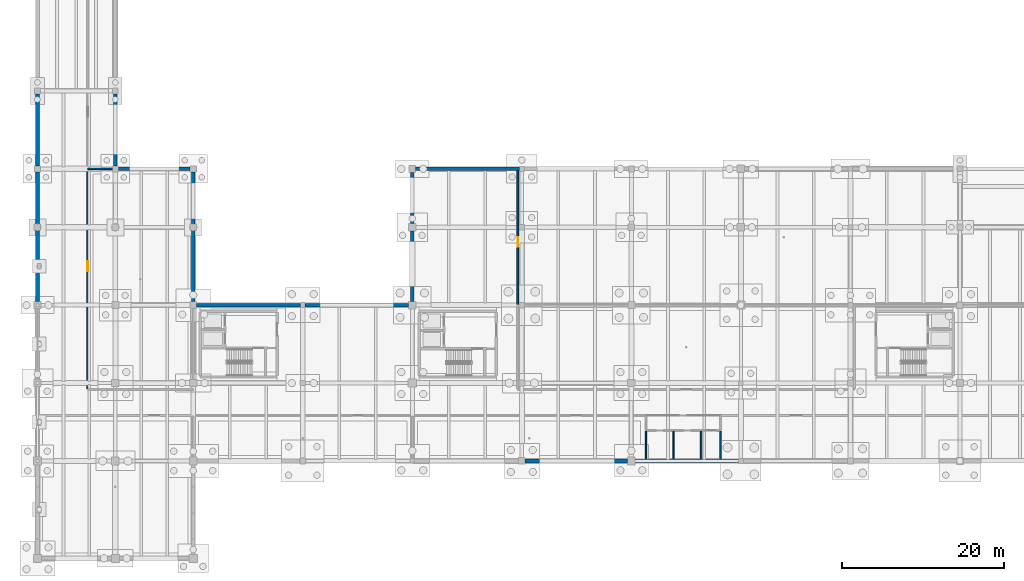
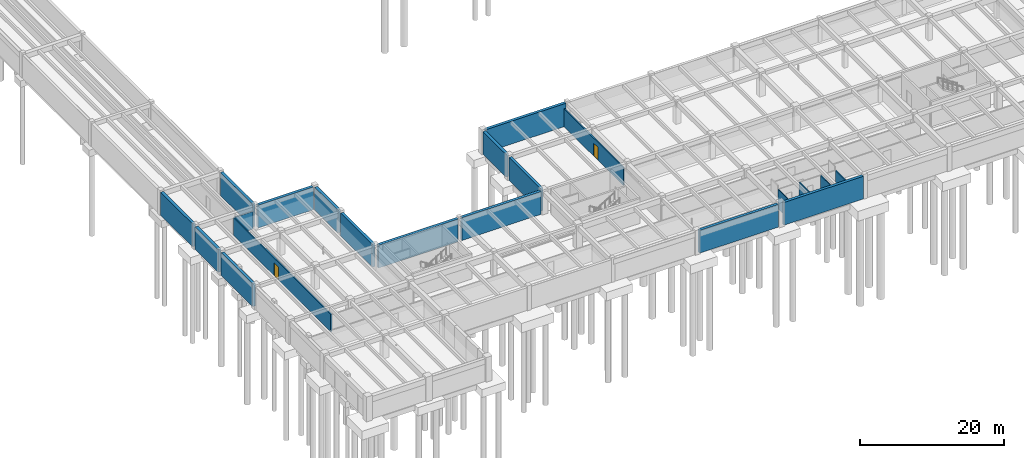
# One storey, part 16 of 41: 21 walls, 2 doors, 2 openings.
"""IFC4 building model written with IfcOpenShell, lengths in metres."""

from ifc_helpers import new_model, si_unit, direction, frame, frame_2d, origin, place, context, subcontext, project, spatial, rectangle, extrude, material, layer, layer_set, type_object, element, fill, save


model = new_model("IFC4")

# Units and contexts
model_context = context("Model", 3, precision=1e-05, world=origin(), true_north=direction((0.0, 1.0)))
body_context = subcontext(model_context, "Body", "Model", "MODEL_VIEW")
ifc_project = project(units=[si_unit("LENGTHUNIT", "METRE"), si_unit("AREAUNIT", "SQUARE_METRE"), si_unit("VOLUMEUNIT", "CUBIC_METRE"), si_unit("PLANEANGLEUNIT", "RADIAN"), si_unit("MASSUNIT", "GRAM", prefix="KILO")], contexts=[model_context])

# Site, building, storey
site_placement = place(None, origin())
site = spatial("IfcSite", under=ifc_project, at=site_placement, CompositionType="ELEMENT")
building_placement = place(site_placement, origin())
building = spatial("IfcBuilding", under=site, at=building_placement, Name="Fikremerkos Civic Library", CompositionType="ELEMENT")
storey_placement = place(building_placement, frame((0.0, 0.0, -8.39990234375)))
storey = spatial("IfcBuildingStorey", under=building, at=storey_placement, Name="B02", CompositionType="ELEMENT", Elevation=-8.39990234375)

# Walls
ifc_material_1 = material(Name="Concrete C40/50", Category="concrete")
ifc_layer_1 = layer(ifc_material_1, 0.449951171875, Name="Concrete C40/50")
ifc_layer_set_1 = layer_set([ifc_layer_1], Name="Concrete C40/50")
wall_type_1 = type_object("IfcWallType", Name="Basement retaining wall BRW-01 450", PredefinedType="USERDEFINED", material=ifc_layer_set_1)
wall_1_placement = place(storey_placement, frame((86.402099609375, 12.0, 0.0), z_axis=(0.0, 0.0, 1.0), x_axis=(-1.0, 0.0, 0.0)))
element("IfcWall", 1, at=wall_1_placement, inside=storey, type_object=wall_type_1, Name="Basement retaining wall BRW-01 B02 #4", ObjectType="RETAINING WALL", PredefinedType="USERDEFINED", context=body_context, shape_type="SweptSolid", body=[
    extrude(rectangle(XDim=12.72900390625, YDim=0.449951171875, at=frame_2d((6.364501953125, 0.0))), origin(), (0.0, 0.0, 1.0), 3.85986328125),
])
wall_2_placement = place(storey_placement, frame((72.72705078125, 12.0, 0.0), z_axis=(0.0, 0.0, 1.0), x_axis=(-1.0, 0.0, 0.0)))
element("IfcWall", 2, at=wall_2_placement, inside=storey, type_object=wall_type_1, Name="Basement retaining wall BRW-01 B02 #5", ObjectType="RETAINING WALL", PredefinedType="USERDEFINED", context=body_context, shape_type="SweptSolid", body=[
    extrude(rectangle(XDim=12.629150390625, YDim=0.449951171875, at=frame_2d((6.314453125, 0.0))), origin(), (0.0, 0.0, 1.0), 3.85986328125),
])
wall_3_placement = place(storey_placement, frame((0.0, 31.623046875, 0.0), z_axis=(0.0, 0.0, 1.0), x_axis=(0.0, 1.0, 0.0)))
element("IfcWall", 3, at=wall_3_placement, inside=storey, type_object=wall_type_1, Name="Basement retaining wall BRW-01 B02 #21", ObjectType="RETAINING WALL", PredefinedType="USERDEFINED", context=body_context, shape_type="SweptSolid", body=[
    extrude(rectangle(XDim=8.779052734375, YDim=0.449951171875, at=frame_2d((4.3896484375, 0.0))), origin(), (0.0, 0.0, 1.0), 3.85986328125),
])
wall_4_placement = place(storey_placement, frame((0.0, 41.197998046875, 0.0), z_axis=(0.0, 0.0, 1.0), x_axis=(0.0, 1.0, 0.0)))
element("IfcWall", 4, at=wall_4_placement, inside=storey, type_object=wall_type_1, Name="Basement retaining wall BRW-01 B02 #22", ObjectType="RETAINING WALL", PredefinedType="USERDEFINED", context=body_context, shape_type="SweptSolid", body=[
    extrude(rectangle(XDim=6.428955078125, YDim=0.449951171875, at=frame_2d((3.21435546875, 0.0))), origin(), (0.0, 0.0, 1.0), 3.85986328125),
])
for number, where, z_axis, x_axis, name in (
    (5, (0.0, 48.373046875, 0.0), (0.0, 0.0, 1.0), (0.0, 1.0, 0.0), "Basement retaining wall BRW-01 B02 #23"),
    (6, (9.60009765625, 57.251953125, 0.0), (0.0, 0.0, 1.0), (0.0, -1.0, 0.0), "Basement retaining wall BRW-01 B02 #31"),
):
    element("IfcWall", number, at=place(storey_placement, frame(where, z_axis=z_axis, x_axis=x_axis)), inside=storey, type_object=wall_type_1, Name=name, ObjectType="RETAINING WALL", PredefinedType="USERDEFINED", context=body_context, shape_type="SweptSolid", body=[
        extrude(rectangle(XDim=8.87890625, YDim=0.449951171875, at=frame_2d((4.439453125, 0.0))), origin(), (0.0, 0.0, 1.0), 3.89990234375),
    ])
wall_5_placement = place(storey_placement, frame((9.972900390625, 48.0, 0.0), z_axis=(0.0, 0.0, 1.0), x_axis=(1.0, 0.0, 0.0)))
element("IfcWall", 7, at=wall_5_placement, inside=storey, type_object=wall_type_1, Name="Basement retaining wall BRW-01 B02 #32", ObjectType="RETAINING WALL", PredefinedType="USERDEFINED", context=body_context, shape_type="SweptSolid", body=[
    extrude(rectangle(XDim=8.85400390625, YDim=0.449951171875, at=frame_2d((4.427001953125, 0.0))), origin(), (0.0, 0.0, 1.0), 3.85986328125),
])
wall_6_placement = place(storey_placement, frame((19.199951171875, 47.626953125, 0.0), z_axis=(0.0, 0.0, 1.0), x_axis=(0.0, -1.0, 0.0)))
element("IfcWall", 8, at=wall_6_placement, inside=storey, type_object=wall_type_1, Name="Basement retaining wall BRW-01 B02 #33", ObjectType="RETAINING WALL", PredefinedType="USERDEFINED", context=body_context, shape_type="SweptSolid", body=[
    extrude(rectangle(XDim=6.428955078125, YDim=0.449951171875, at=frame_2d((3.21435546875, 0.0))), origin(), (0.0, 0.0, 1.0), 3.85986328125),
])
wall_7_placement = place(storey_placement, frame((19.199951171875, 40.402099609375, 0.0), z_axis=(0.0, 0.0, 1.0), x_axis=(0.0, -1.0, 0.0)))
element("IfcWall", 9, at=wall_7_placement, inside=storey, type_object=wall_type_1, Name="Basement retaining wall BRW-01 B02 #34", ObjectType="RETAINING WALL", PredefinedType="USERDEFINED", context=body_context, shape_type="SweptSolid", body=[
    extrude(rectangle(XDim=8.779052734375, YDim=0.449951171875, at=frame_2d((4.3896484375, 0.0))), origin(), (0.0, 0.0, 1.0), 3.85986328125),
])
wall_8_placement = place(storey_placement, frame((19.623046875, 31.199951171875, 0.0), z_axis=(0.0, 0.0, 1.0), x_axis=(1.0, 0.0, 0.0)))
element("IfcWall", 10, at=wall_8_placement, inside=storey, type_object=wall_type_1, Name="Basement retaining wall BRW-01 B02 #35", ObjectType="RETAINING WALL", PredefinedType="USERDEFINED", context=body_context, shape_type="SweptSolid", body=[
    extrude(rectangle(XDim=12.779052734375, YDim=0.449951171875, at=frame_2d((6.3896484375, 0.0))), origin(), (0.0, 0.0, 1.0), 3.85986328125),
])
wall_9_placement = place(storey_placement, frame((32.998046875, 31.199951171875, 0.0), z_axis=(0.0, 0.0, 1.0), x_axis=(1.0, 0.0, 0.0)))
element("IfcWall", 11, at=wall_9_placement, inside=storey, type_object=wall_type_1, Name="Basement retaining wall BRW-01 B02 #36", ObjectType="RETAINING WALL", PredefinedType="USERDEFINED", context=body_context, shape_type="SweptSolid", body=[
    extrude(rectangle(XDim=12.72900390625, YDim=0.449951171875, at=frame_2d((6.364501953125, 0.0))), origin(), (0.0, 0.0, 1.0), 3.85986328125),
])
wall_10_placement = place(storey_placement, frame((46.199951171875, 31.673095703125, 0.0), z_axis=(0.0, 0.0, 1.0), x_axis=(0.0, 1.0, 0.0)))
element("IfcWall", 12, at=wall_10_placement, inside=storey, type_object=wall_type_1, Name="Basement retaining wall BRW-01 B02 #37", ObjectType="RETAINING WALL", PredefinedType="USERDEFINED", context=body_context, shape_type="SweptSolid", body=[
    extrude(rectangle(XDim=8.678955078125, YDim=0.449951171875, at=frame_2d((4.33935546875, 0.0))), origin(), (0.0, 0.0, 1.0), 3.8798828125),
])
wall_11_placement = place(storey_placement, frame((46.199951171875, 41.248046875, 0.0), z_axis=(0.0, 0.0, 1.0), x_axis=(0.0, 1.0, 0.0)))
element("IfcWall", 13, at=wall_11_placement, inside=storey, type_object=wall_type_1, Name="Basement retaining wall BRW-01 B02 #38", ObjectType="RETAINING WALL", PredefinedType="USERDEFINED", context=body_context, shape_type="SweptSolid", body=[
    extrude(rectangle(XDim=6.328857421875, YDim=0.449951171875, at=frame_2d((3.16455078125, 0.0))), origin(), (0.0, 0.0, 1.0), 3.8798828125),
])
wall_12_placement = place(storey_placement, frame((46.623046875, 48.0, 0.0), z_axis=(0.0, 0.0, 1.0), x_axis=(1.0, 0.0, 0.0)))
element("IfcWall", 14, at=wall_12_placement, inside=storey, type_object=wall_type_1, Name="Basement retaining wall BRW-01 B02 #39", ObjectType="RETAINING WALL", PredefinedType="USERDEFINED", context=body_context, shape_type="SweptSolid", body=[
    extrude(rectangle(XDim=12.779052734375, YDim=0.449951171875, at=frame_2d((6.3896484375, 0.0))), origin(), (0.0, 0.0, 1.0), 3.8798828125),
])
ifc_material_2 = material(Name="Acoustic concrete blockwork", Category="masonry")
ifc_layer_2 = layer(ifc_material_2, 0.18994140625, Name="Acoustic concrete blockwork")
ifc_layer_set_2 = layer_set([ifc_layer_2], Name="Acoustic concrete blockwork")
wall_type_2 = type_object("IfcWallType", Name="Interior partition wall IPW-01 190", PredefinedType="PARTITIONING", material=ifc_layer_set_2)
wall_13_placement = place(storey_placement, frame((6.199951171875, 48.0, 0.0), z_axis=(0.0, 0.0, 1.0), x_axis=(1.0, 0.0, 0.0)))
element("IfcWall", 15, at=wall_13_placement, inside=storey, type_object=wall_type_2, Name="Interior wall IPW-01 B02 #10", PredefinedType="PARTITIONING", context=body_context, shape_type="SweptSolid", body=[
    extrude(rectangle(XDim=3.02197265625, YDim=0.18994140625, at=frame_2d((1.510986328125, 0.0))), origin(), (0.0, 0.0, 1.0), 3.0),
])

# Wall, opening, door
wall_14_placement = place(storey_placement, frame((6.199951171875, 20.905029296875, 0.0), z_axis=(0.0, 0.0, 1.0), x_axis=(0.0, 1.0, 0.0)))
wall_14 = element("IfcWall", 16, at=wall_14_placement, inside=storey, type_object=wall_type_2, Name="Interior wall IPW-01 B02 #25", PredefinedType="PARTITIONING", context=body_context, shape_type="SweptSolid", body=[
    extrude(rectangle(XDim=26.989990234375, YDim=0.18994140625, at=frame_2d((13.4951171875, 0.0))), origin(), (0.0, 0.0, 1.0), 3.0),
])
opening_1_placement = place(wall_14_placement, frame((14.4951171875, 0.0, 0.0)))
opening_1 = element("IfcOpeningElement", 17, at=opening_1_placement, cuts=wall_14, Name="Opening D133", PredefinedType="OPENING", context=body_context, shape_type="SweptSolid", body=[
    extrude(rectangle(XDim=1.199951171875, YDim=2.199951171875, at=frame_2d((0.60009765625, 1.10009765625))), frame((0.0, 0.10498046875, 0.0), z_axis=(0.0, -1.0, 0.0), x_axis=(1.0, 0.0, 0.0)), (0.0, 0.0, 1.0), 0.2099609375),
])
ifc_material_3 = material(Name="Hardwood timber and acoustic glass", Category="wood")
door_type = type_object("IfcDoorType", Name="Pedestrian door DT-06 1200x2200", OperationType="NOTDEFINED", PredefinedType="DOOR", material=ifc_material_3)
door_1_placement = place(opening_1_placement, origin())
door_1 = element("IfcDoor", 18, at=door_1_placement, inside=storey, type_object=door_type, Name="Interior door D133 B02", OperationType="SINGLE_SWING_RIGHT", OverallHeight=2.199951171875, OverallWidth=1.199951171875, PredefinedType="DOOR", context=body_context, shape_type="SweptSolid", body=[
    extrude(rectangle(XDim=1.199951171875, YDim=2.199951171875, at=frame_2d((0.60009765625, 1.10009765625))), frame((0.0, 0.032470703125, 0.0), z_axis=(0.0, -1.0, 0.0), x_axis=(1.0, 0.0, 0.0)), (0.0, 0.0, 1.0), 0.06494140625),
])
fill(opening_1, door_1)

wall_15_placement = place(storey_placement, frame((59.199951171875, 31.304931640625, 0.0), z_axis=(0.0, 0.0, 1.0), x_axis=(0.0, 1.0, 0.0)))
wall_15 = element("IfcWall", 19, at=wall_15_placement, inside=storey, type_object=wall_type_2, Name="Interior wall IPW-01 B02 #30", PredefinedType="PARTITIONING", context=body_context, shape_type="SweptSolid", body=[
    extrude(rectangle(XDim=16.467041015625, YDim=0.18994140625, at=frame_2d((8.2333984375, 0.0))), origin(), (0.0, 0.0, 1.0), 3.0498046875),
])
opening_2_placement = place(wall_15_placement, frame((7.094970703125, 0.0, 0.0)))
opening_2 = element("IfcOpeningElement", 20, at=opening_2_placement, cuts=wall_15, Name="Opening D138", PredefinedType="OPENING", context=body_context, shape_type="SweptSolid", body=[
    extrude(rectangle(XDim=1.199951171875, YDim=2.199951171875, at=frame_2d((0.60009765625, 1.10009765625))), frame((0.0, 0.10498046875, 0.0), z_axis=(0.0, -1.0, 0.0), x_axis=(1.0, 0.0, 0.0)), (0.0, 0.0, 1.0), 0.2099609375),
])
door_2_placement = place(opening_2_placement, origin())
door_2 = element("IfcDoor", 21, at=door_2_placement, inside=storey, type_object=door_type, Name="Interior door D138 B02", OperationType="SINGLE_SWING_LEFT", OverallHeight=2.199951171875, OverallWidth=1.199951171875, PredefinedType="DOOR", context=body_context, shape_type="SweptSolid", body=[
    extrude(rectangle(XDim=1.199951171875, YDim=2.199951171875, at=frame_2d((0.60009765625, 1.10009765625))), frame((0.0, 0.032470703125, 0.0), z_axis=(0.0, -1.0, 0.0), x_axis=(1.0, 0.0, 0.0)), (0.0, 0.0, 1.0), 0.06494140625),
])
fill(opening_2, door_2)

# Walls
ifc_material_4 = material(Name="Aerated concrete blockwork", Category="masonry")
ifc_layer_3 = layer(ifc_material_4, 0.159912109375, Name="Aerated concrete blockwork")
ifc_layer_set_3 = layer_set([ifc_layer_3], Name="Aerated concrete blockwork")
wall_type_3 = type_object("IfcWallType", Name="Service duct wall SDW-02 160", PredefinedType="PLUMBINGWALL", material=ifc_layer_set_3)
for number, where, z_axis, x_axis, name in (
    (22, (75.0, 12.22802734375, 0.0), (0.0, 0.0, 1.0), (0.0, 1.0, 0.0), "Interior wall SDW-02 B02 #2"),
    (23, (78.39990234375, 12.22802734375, 0.0), (0.0, 0.0, 1.0), (0.0, 1.0, 0.0), "Interior wall SDW-02 B02 #4"),
    (24, (81.800048828125, 12.22802734375, 0.0), (0.0, 0.0, 1.0), (0.0, 1.0, 0.0), "Interior wall SDW-02 B02 #5"),
    (25, (84.199951171875, 12.22802734375, 0.0), (0.0, 0.0, 1.0), (0.0, 1.0, 0.0), "Interior wall SDW-02 B02 #6"),
):
    element("IfcWall", number, at=place(storey_placement, frame(where, z_axis=z_axis, x_axis=x_axis)), inside=storey, type_object=wall_type_3, Name=name, PredefinedType="PLUMBINGWALL", context=body_context, shape_type="SweptSolid", body=[
        extrude(rectangle(XDim=3.4169921875, YDim=0.159912109375, at=frame_2d((1.70849609375, 0.0))), origin(), (0.0, 0.0, 1.0), 3.2998046875),
    ])

save(model, "model.ifc")
